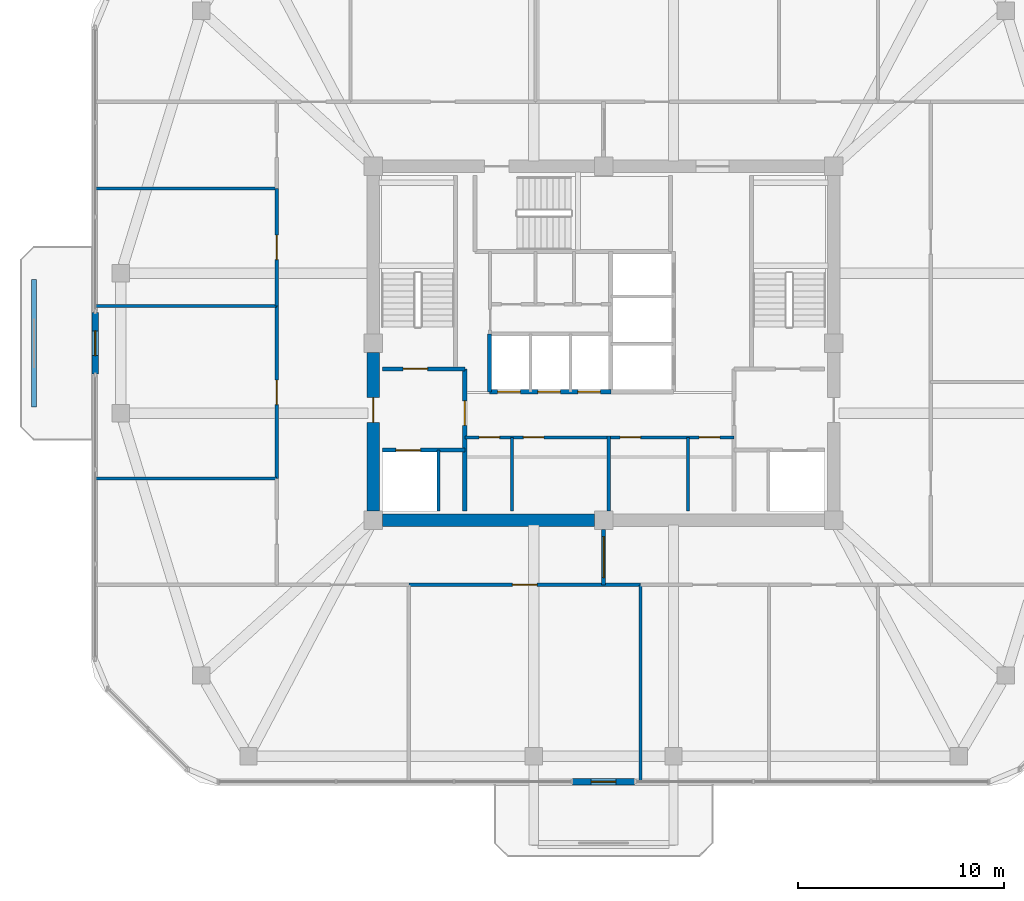
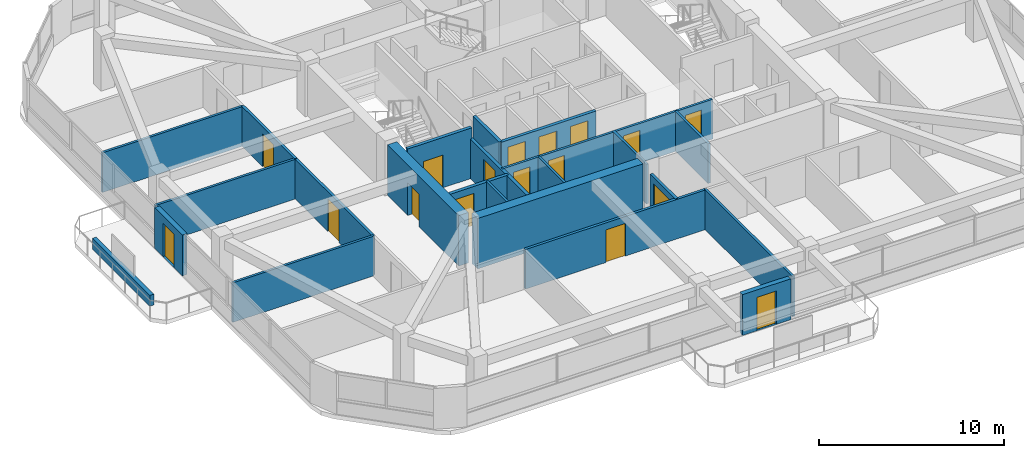
# One storey, part 8 of 13: 24 walls, 17 doors, 17 openings.
"""IFC4 building model written with IfcOpenShell, lengths in metres."""

import ifcopenshell
import ifcopenshell.guid

model = None  # the IFC model being written
_history = None  # IfcOwnerHistory: only IFC2X3 demands one
_inside = {}  # id of a spatial element -> (the spatial element, [elements in it])
_under = {}  # id of a project, library or spatial element -> (it, [spatial elements below it])
_declared = {}  # id of a project -> (the project, [libraries it declares])
_typed = {}  # id of a type object -> (the type object, [elements of that type])
_made_of = {}  # id of a material, layer set ... -> (it, [elements and type objects made of it])


def new_model(schema):
    """Start an empty IFC model of exactly this schema.

    Asked for "IFC4X3", IfcOpenShell would pick the latest addendum, in which some entities
    have other attributes; the version numbers below select the first issue.
    IFC2X3 requires an IfcOwnerHistory on every rooted entity: one is made here for all.
    """
    global model, _history
    if schema == "IFC4X3":
        model = ifcopenshell.file(schema_version=(4, 3, 0, 0))
    else:
        model = ifcopenshell.file(schema=schema)
    _inside.clear()
    _under.clear()
    _declared.clear()
    _typed.clear()
    _made_of.clear()
    _history = None
    if model.schema == "IFC2X3":
        org = make("IfcOrganization", Name="unknown")
        user = make(
            "IfcPersonAndOrganization",
            ThePerson=make("IfcPerson", FamilyName="unknown"),
            TheOrganization=org,
        )
        app = make(
            "IfcApplication",
            ApplicationDeveloper=org,
            Version="unknown",
            ApplicationFullName="unknown",
            ApplicationIdentifier="unknown",
        )
        _history = make(
            "IfcOwnerHistory",
            OwningUser=user,
            OwningApplication=app,
            ChangeAction="ADDED",
            CreationDate=0,
        )
    return model


def make(cls, **values):
    """One entity of the class cls with the attributes given. An attribute that is None is left unset."""
    return model.create_entity(
        cls, **{name: value for name, value in values.items() if value is not None}
    )


def rooted(cls, **values):
    """An entity with a GlobalId (a new one), such as an element, a storey or a relation."""
    return make(cls, GlobalId=ifcopenshell.guid.new(), OwnerHistory=_history, **values)


def si_unit(unit_type, name, prefix=None):
    """IfcSIUnit, for example si_unit("LENGTHUNIT", "METRE", prefix="MILLI")."""
    return make("IfcSIUnit", UnitType=unit_type, Prefix=prefix, Name=name)


def derived_unit(unit_type, elements):
    """IfcDerivedUnit: a product of units, each with its exponent."""
    return make(
        "IfcDerivedUnit",
        Elements=[
            make("IfcDerivedUnitElement", Unit=unit, Exponent=power)
            for unit, power in elements
        ],
        UnitType=unit_type,
    )


def assignment(units):
    """IfcUnitAssignment: the units of a project."""
    return None if units is None else make("IfcUnitAssignment", Units=units)


def point(xyz):
    """IfcCartesianPoint."""
    return None if xyz is None else make("IfcCartesianPoint", Coordinates=xyz)


def direction(xyz):
    """IfcDirection."""
    return None if xyz is None else make("IfcDirection", DirectionRatios=xyz)


def frame(location, z_axis=None, x_axis=None):
    """IfcAxis2Placement3D, a coordinate frame: its origin and axes. An axis left out is left unset."""
    return make(
        "IfcAxis2Placement3D",
        Location=point(location),
        Axis=direction(z_axis),
        RefDirection=direction(x_axis),
    )


def frame_2d(location, x_axis=None):
    """IfcAxis2Placement2D, a coordinate frame in the plane: its origin and x axis."""
    return make(
        "IfcAxis2Placement2D", Location=point(location), RefDirection=direction(x_axis)
    )


def origin():
    """The frame at (0, 0, 0) with its axes left unset."""
    return frame((0.0, 0.0, 0.0))


def place(relative_to, where):
    """IfcLocalPlacement: puts the frame where relative to a parent placement (None: the world)."""
    return make(
        "IfcLocalPlacement", PlacementRelTo=relative_to, RelativePlacement=where
    )


def context(
    kind, dimensions, precision=None, world=None, true_north=None, identifier=None
):
    """IfcGeometricRepresentationContext, for example the 3D "Model" context."""
    return make(
        "IfcGeometricRepresentationContext",
        ContextIdentifier=identifier,
        ContextType=kind,
        CoordinateSpaceDimension=dimensions,
        Precision=precision,
        WorldCoordinateSystem=world,
        TrueNorth=true_north,
    )


def subcontext(parent, identifier, kind, view, scale=None):
    """IfcGeometricRepresentationSubContext, for example "Body" below "Model"."""
    return make(
        "IfcGeometricRepresentationSubContext",
        ContextIdentifier=identifier,
        ContextType=kind,
        ParentContext=parent,
        TargetScale=scale,
        TargetView=view,
    )


def project(units=None, contexts=None):
    """IfcProject with its units and contexts."""
    return rooted(
        "IfcProject",
        Name="project",
        RepresentationContexts=contexts,
        UnitsInContext=assignment(units),
    )


def spatial(cls, under=None, at=None, **own):
    """A site, building, storey or space (cls), placed at a placement, below another one or the project."""
    s = rooted(cls, ObjectPlacement=at, **own)
    if under is not None:
        _under.setdefault(under.id(), (under, []))[1].append(s)
    return s


def profile(cls, at=None, kind="AREA", **sizes):
    """A parametric profile (cls). Its sizes go by their IFC names, for example OverallWidth=200.0."""
    return make(cls, ProfileType=kind, Position=at, **sizes)


def rectangle(**sizes):
    """IfcRectangleProfileDef."""
    return profile("IfcRectangleProfileDef", **sizes)


def extrude(swept, where, along, depth):
    """IfcExtrudedAreaSolid: the profile swept, set in the frame where, extruded along a direction by depth."""
    return make(
        "IfcExtrudedAreaSolid",
        SweptArea=swept,
        Position=where,
        ExtrudedDirection=direction(along),
        Depth=depth,
    )


def shape(context_of_items, identifier, shape_type, items):
    """IfcShapeRepresentation: the items that make up one representation, for example the "Body"."""
    return make(
        "IfcShapeRepresentation",
        ContextOfItems=context_of_items,
        RepresentationIdentifier=identifier,
        RepresentationType=shape_type,
        Items=items,
    )


def material(Name=None, Category=None):
    """IfcMaterial."""
    return make("IfcMaterial", Name=Name, Category=Category)


def layer(
    of_material, thickness, ventilated=None, Name=None, Category=None, Priority=None
):
    """IfcMaterialLayer: one layer of a wall or slab, of a material (None: an air gap)."""
    return make(
        "IfcMaterialLayer",
        Material=of_material,
        LayerThickness=thickness,
        IsVentilated=ventilated,
        Name=Name,
        Category=Category,
        Priority=Priority,
    )


def layer_set(layers, Name=None):
    """IfcMaterialLayerSet."""
    return make("IfcMaterialLayerSet", MaterialLayers=layers, LayerSetName=Name)


def made_of(thing, what):
    """Note that an element or type object is made of a material, layer set ...; save() writes the relation."""
    if what is not None:
        _made_of.setdefault(what.id(), (what, []))[1].append(thing)
    return thing


def type_object(cls, material=None, **own):
    """A type object (cls), such as IfcWallType, which elements share."""
    return made_of(rooted(cls, **own), material)


def element(
    cls,
    number,
    at=None,
    inside=None,
    cuts=None,
    type_object=None,
    material=None,
    context=None,
    identifier="Body",
    shape_type=None,
    held_by="IfcProductDefinitionShape",
    body=None,
    shapes=None,
    **own,
):
    """One element of the class cls, such as IfcWall. Its Tag is "e" and its number.

    at: its placement. inside: the storey or other place that contains it. cuts: it is an
    opening in that element (IfcRelVoidsElement). A single representation is given by context,
    identifier, shape_type and body (its items); several are given by shapes. held_by: the class
    of the entity that holds the representations. save() writes the other relations.
    """
    e = rooted(cls, Tag="e%d" % number, ObjectPlacement=at, **own)
    if body is not None:
        shapes = [shape(context, identifier, shape_type, body)]
    if shapes is not None:
        e.Representation = make(held_by, Representations=shapes)
    if inside is not None:
        _inside.setdefault(inside.id(), (inside, []))[1].append(e)
    if cuts is not None:
        rooted(
            "IfcRelVoidsElement", RelatingBuildingElement=cuts, RelatedOpeningElement=e
        )
    if type_object is not None:
        _typed.setdefault(type_object.id(), (type_object, []))[1].append(e)
    return made_of(e, material)


def fill(opening, filler):
    """IfcRelFillsElement: the door or window that sits in an opening."""
    return rooted(
        "IfcRelFillsElement",
        RelatingOpeningElement=opening,
        RelatedBuildingElement=filler,
    )


def aggregate(whole, parts):
    """IfcRelAggregates: a whole, such as a stair, and the parts it consists of."""
    return rooted("IfcRelAggregates", RelatingObject=whole, RelatedObjects=parts)


def save(model, path):
    """Write the relations noted so far, then the file.

    IfcRelAggregates (storeys below a building ...), IfcRelContainedInSpatialStructure (elements
    in a storey), IfcRelDefinesByType, IfcRelAssociatesMaterial and IfcRelDeclares: one each for
    every whole, place, type object, material and project.
    """
    for whole, parts in _under.values():
        aggregate(whole, parts)
    for where, things in _inside.values():
        rooted(
            "IfcRelContainedInSpatialStructure",
            RelatedElements=things,
            RelatingStructure=where,
        )
    for kind, things in _typed.values():
        rooted("IfcRelDefinesByType", RelatedObjects=things, RelatingType=kind)
    for what, things in _made_of.values():
        rooted("IfcRelAssociatesMaterial", RelatedObjects=things, RelatingMaterial=what)
    for by, libraries in _declared.values():
        rooted("IfcRelDeclares", RelatingContext=by, RelatedDefinitions=libraries)
    model.write(path)


model = new_model("IFC4")

# Units and contexts
model_context = context("Model", 3, precision=1e-05, world=origin(), true_north=direction((0.0, 1.0)))
body_context = subcontext(model_context, "Body", "Model", "MODEL_VIEW")
ifc_project = project(units=[si_unit("LENGTHUNIT", "METRE"), si_unit("AREAUNIT", "SQUARE_METRE"), si_unit("VOLUMEUNIT", "CUBIC_METRE"), si_unit("PLANEANGLEUNIT", "RADIAN"), si_unit("MASSUNIT", "GRAM", prefix="KILO"), derived_unit("THERMALTRANSMITTANCEUNIT", [(si_unit("POWERUNIT", "WATT"), 1), (si_unit("LENGTHUNIT", "METRE"), -2), (si_unit("THERMODYNAMICTEMPERATUREUNIT", "KELVIN"), -1)])], contexts=[model_context])

# Site, building, storey
site_placement = place(None, origin())
site = spatial("IfcSite", under=ifc_project, at=site_placement, CompositionType="ELEMENT")
building_placement = place(site_placement, origin())
building = spatial("IfcBuilding", under=site, at=building_placement, Name="Koralith Skygarden Medical Center", CompositionType="ELEMENT")
storey_placement = place(building_placement, frame((0.0, 0.0, 250.02001953125)))
storey = spatial("IfcBuildingStorey", under=building, at=storey_placement, Name="L64", CompositionType="ELEMENT", Elevation=250.02001953125)

# Wall, openings, doors
ifc_material_1 = material(Name="Gypsum Board Partition")
ifc_layer_1 = layer(ifc_material_1, 0.14990234375)
ifc_layer_set_1 = layer_set([ifc_layer_1], Name="Gypsum Board Partition")
wall_type_1 = type_object("IfcWallType", Name="Clinical Acoustic Partition 150", PredefinedType="PARTITIONING", material=ifc_layer_set_1)
wall_1_placement = place(storey_placement, frame((30.25, 21.320068359375, 0.0), z_axis=(0.0, 0.0, 1.0), x_axis=(1.0, 0.0, 0.0)))
wall_1 = element("IfcWall", 1, at=wall_1_placement, inside=storey, type_object=wall_type_1, Name="L64 Clinical Acoustic Partition 150 W-CORE-L64-FREED-LR-N", PredefinedType="PARTITIONING", context=body_context, shape_type="SweptSolid", body=[
    extrude(rectangle(XDim=7.0, YDim=0.14990234375, at=frame_2d((3.5, 0.0))), origin(), (0.0, 0.0, 1.0), 2.60986328125),
])
opening_1_placement = place(wall_1_placement, frame((0.699951171875, 0.0, 0.0)))
opening_1 = element("IfcOpeningElement", 2, at=opening_1_placement, cuts=wall_1, Name="Opening D-SUP", PredefinedType="OPENING", context=body_context, shape_type="SweptSolid", body=[
    extrude(rectangle(XDim=1.0, YDim=2.14990234375, at=frame_2d((0.5, 1.074951171875))), frame((0.0, 0.0849609375, 0.0), z_axis=(0.0, -1.0, 0.0), x_axis=(1.0, 0.0, 0.0)), (0.0, 0.0, 1.0), 0.169921875),
])
opening_2_placement = place(wall_1_placement, frame((2.85009765625, 0.0, 0.0)))
opening_2 = element("IfcOpeningElement", 3, at=opening_2_placement, cuts=wall_1, Name="Opening D-SUP", PredefinedType="OPENING", context=body_context, shape_type="SweptSolid", body=[
    extrude(rectangle(XDim=1.0, YDim=2.14990234375, at=frame_2d((0.5, 1.074951171875))), frame((0.0, 0.0849609375, 0.0), z_axis=(0.0, -1.0, 0.0), x_axis=(1.0, 0.0, 0.0)), (0.0, 0.0, 1.0), 0.169921875),
])
ifc_material_2 = material(Name="Aluminium 6063-T6", Category="aluminium")
door_type_1 = type_object("IfcDoorType", Name="Clinical Support Door D-SUP 1000", OperationType="NOTDEFINED", PredefinedType="DOOR", material=ifc_material_2)
door_1_placement = place(opening_1_placement, frame((1.0, 0.0, 0.0), z_axis=(0.0, 0.0, 1.0), x_axis=(-1.0, 0.0, 0.0)))
door_1 = element("IfcDoor", 4, at=door_1_placement, inside=storey, type_object=door_type_1, Name="L64 Medication Preparation Door", OperationType="SINGLE_SWING_LEFT", OverallHeight=2.14990234375, OverallWidth=1.0, PredefinedType="DOOR", context=body_context, shape_type="SweptSolid", body=[
    extrude(rectangle(XDim=1.0, YDim=2.14990234375, at=frame_2d((0.5, 1.074951171875))), frame((0.0, 0.02490234375, 0.0), z_axis=(0.0, -1.0, 0.0), x_axis=(1.0, 0.0, 0.0)), (0.0, 0.0, 1.0), 0.050048828125),
])
fill(opening_1, door_1)
door_2_placement = place(opening_2_placement, frame((1.0, 0.0, 0.0), z_axis=(0.0, 0.0, 1.0), x_axis=(-1.0, 0.0, 0.0)))
door_2 = element("IfcDoor", 5, at=door_2_placement, inside=storey, type_object=door_type_1, Name="L64 Telemetry Room Door", OperationType="SINGLE_SWING_RIGHT", OverallHeight=2.14990234375, OverallWidth=1.0, PredefinedType="DOOR", context=body_context, shape_type="SweptSolid", body=[
    extrude(rectangle(XDim=1.0, YDim=2.14990234375, at=frame_2d((0.5, 1.074951171875))), frame((0.0, 0.02490234375, 0.0), z_axis=(0.0, -1.0, 0.0), x_axis=(1.0, 0.0, 0.0)), (0.0, 0.0, 1.0), 0.050048828125),
])
fill(opening_2, door_2)

# Wall
wall_2_placement = place(storey_placement, frame((32.550048828125, 17.75, 0.0), z_axis=(0.0, 0.0, 1.0), x_axis=(0.0, 1.0, 0.0)))
element("IfcWall", 6, at=wall_2_placement, inside=storey, type_object=wall_type_1, Name="L64 Clinical Acoustic Partition 150 W-CORE-L64-FREED-LR-M", PredefinedType="PARTITIONING", context=body_context, shape_type="SweptSolid", body=[
    extrude(rectangle(XDim=3.570068359375, YDim=0.14990234375, at=frame_2d((1.78515625, 0.0))), origin(), (0.0, 0.0, 1.0), 2.60986328125),
])

# Wall, openings, doors
wall_3_placement = place(storey_placement, frame((37.25, 21.320068359375, 0.0), z_axis=(0.0, 0.0, 1.0), x_axis=(1.0, 0.0, 0.0)))
wall_3 = element("IfcWall", 7, at=wall_3_placement, inside=storey, type_object=wall_type_1, Name="L64 Clinical Acoustic Partition 150 W-CORE-L64-FREED-MR-N", PredefinedType="PARTITIONING", context=body_context, shape_type="SweptSolid", body=[
    extrude(rectangle(XDim=6.10009765625, YDim=0.14990234375, at=frame_2d((3.050048828125, 0.0))), origin(), (0.0, 0.0, 1.0), 2.60986328125),
])
opening_3_placement = place(wall_3_placement, frame((0.550048828125, 0.0, 0.0)))
opening_3 = element("IfcOpeningElement", 8, at=opening_3_placement, cuts=wall_3, Name="Opening D-SUP", PredefinedType="OPENING", context=body_context, shape_type="SweptSolid", body=[
    extrude(rectangle(XDim=1.0, YDim=2.14990234375, at=frame_2d((0.5, 1.074951171875))), frame((0.0, 0.0849609375, 0.0), z_axis=(0.0, -1.0, 0.0), x_axis=(1.0, 0.0, 0.0)), (0.0, 0.0, 1.0), 0.169921875),
])
opening_4_placement = place(wall_3_placement, frame((4.39990234375, 0.0, 0.0)))
opening_4 = element("IfcOpeningElement", 9, at=opening_4_placement, cuts=wall_3, Name="Opening D-SUP", PredefinedType="OPENING", context=body_context, shape_type="SweptSolid", body=[
    extrude(rectangle(XDim=1.0, YDim=2.14990234375, at=frame_2d((0.5, 1.074951171875))), frame((0.0, 0.0849609375, 0.0), z_axis=(0.0, -1.0, 0.0), x_axis=(1.0, 0.0, 0.0)), (0.0, 0.0, 1.0), 0.169921875),
])
door_3_placement = place(opening_3_placement, frame((1.0, 0.0, 0.0), z_axis=(0.0, 0.0, 1.0), x_axis=(-1.0, 0.0, 0.0)))
door_3 = element("IfcDoor", 10, at=door_3_placement, inside=storey, type_object=door_type_1, Name="L64 Satellite Pharmacy Door", OperationType="SINGLE_SWING_LEFT", OverallHeight=2.14990234375, OverallWidth=1.0, PredefinedType="DOOR", context=body_context, shape_type="SweptSolid", body=[
    extrude(rectangle(XDim=1.0, YDim=2.14990234375, at=frame_2d((0.5, 1.074951171875))), frame((0.0, 0.02490234375, 0.0), z_axis=(0.0, -1.0, 0.0), x_axis=(1.0, 0.0, 0.0)), (0.0, 0.0, 1.0), 0.050048828125),
])
fill(opening_3, door_3)
door_4_placement = place(opening_4_placement, frame((1.0, 0.0, 0.0), z_axis=(0.0, 0.0, 1.0), x_axis=(-1.0, 0.0, 0.0)))
door_4 = element("IfcDoor", 11, at=door_4_placement, inside=storey, type_object=door_type_1, Name="L64 Biomedical Equipment Door", OperationType="SINGLE_SWING_RIGHT", OverallHeight=2.14990234375, OverallWidth=1.0, PredefinedType="DOOR", context=body_context, shape_type="SweptSolid", body=[
    extrude(rectangle(XDim=1.0, YDim=2.14990234375, at=frame_2d((0.5, 1.074951171875))), frame((0.0, 0.02490234375, 0.0), z_axis=(0.0, -1.0, 0.0), x_axis=(1.0, 0.0, 0.0)), (0.0, 0.0, 1.0), 0.050048828125),
])
fill(opening_4, door_4)

# Walls
wall_4_placement = place(storey_placement, frame((41.10009765625, 17.75, 0.0), z_axis=(0.0, 0.0, 1.0), x_axis=(0.0, 1.0, 0.0)))
element("IfcWall", 12, at=wall_4_placement, inside=storey, type_object=wall_type_1, Name="L64 Clinical Acoustic Partition 150 W-CORE-L64-FREED-MR-M", PredefinedType="PARTITIONING", context=body_context, shape_type="SweptSolid", body=[
    extrude(rectangle(XDim=3.570068359375, YDim=0.14990234375, at=frame_2d((1.78515625, 0.0))), origin(), (0.0, 0.0, 1.0), 2.60986328125),
])
wall_5_placement = place(storey_placement, frame((38.800048828125, 14.14990234375, 0.0), z_axis=(0.0, 0.0, 1.0), x_axis=(0.0, -1.0, 0.0)))
element("IfcWall", 13, at=wall_5_placement, inside=storey, type_object=wall_type_1, Name="L64 Clinical Acoustic Partition 150 W-PART-L64-S-02", PredefinedType="PARTITIONING", context=body_context, shape_type="SweptSolid", body=[
    extrude(rectangle(XDim=9.5498046875, YDim=0.14990234375, at=frame_2d((4.77490234375, 0.0))), origin(), (0.0, 0.0, 1.0), 2.60986328125),
])
for number, where, z_axis, x_axis, name in (
    (14, (21.10009765625, 19.320068359375, 0.0), (0.0, 0.0, 1.0), (-1.0, 0.0, 0.0), "L64 Clinical Acoustic Partition 150 W-PART-L64-W-01"),
    (15, (21.10009765625, 27.699951171875, 0.0), (0.0, 0.0, 1.0), (-1.0, 0.0, 0.0), "L64 Clinical Acoustic Partition 150 W-PART-L64-W-02"),
    (16, (21.10009765625, 33.419921875, 0.0), (0.0, 0.0, 1.0), (-1.0, 0.0, 0.0), "L64 Clinical Acoustic Partition 150 W-PART-L64-W-03"),
):
    element("IfcWall", number, at=place(storey_placement, frame(where, z_axis=z_axis, x_axis=x_axis)), inside=storey, type_object=wall_type_1, Name=name, PredefinedType="PARTITIONING", context=body_context, shape_type="SweptSolid", body=[
        extrude(rectangle(XDim=8.800048828125, YDim=0.14990234375, at=frame_2d((4.39990234375, 0.0))), origin(), (0.0, 0.0, 1.0), 2.60986328125),
    ])

# Wall, opening, door
ifc_layer_2 = layer(ifc_material_1, 0.1650390625)
ifc_layer_set_2 = layer_set([ifc_layer_2], Name="Gypsum Board Partition")
wall_type_2 = type_object("IfcWallType", Name="Clinical Corridor Partition 165", PredefinedType="PARTITIONING", material=ifc_layer_set_2)
wall_6_placement = place(storey_placement, frame((27.528076171875, 14.14990234375, 0.0), z_axis=(0.0, 0.0, 1.0), x_axis=(1.0, 0.0, 0.0)))
wall_6 = element("IfcWall", 17, at=wall_6_placement, inside=storey, type_object=wall_type_2, Name="L64 Clinical Corridor Partition 165 W-CORR-L64-S-02", PredefinedType="PARTITIONING", context=body_context, shape_type="SweptSolid", body=[
    extrude(rectangle(XDim=11.27197265625, YDim=0.1650390625, at=frame_2d((5.635986328125, 0.0))), origin(), (0.0, 0.0, 1.0), 2.60986328125),
])
opening_5_placement = place(wall_6_placement, frame((5.035888671875, 0.0, 0.0)))
opening_5 = element("IfcOpeningElement", 18, at=opening_5_placement, cuts=wall_6, Name="Opening D-CLN", PredefinedType="OPENING", context=body_context, shape_type="SweptSolid", body=[
    extrude(rectangle(XDim=1.199951171875, YDim=2.14990234375, at=frame_2d((0.60009765625, 1.074951171875))), frame((0.0, 0.092529296875, 0.0), z_axis=(0.0, -1.0, 0.0), x_axis=(1.0, 0.0, 0.0)), (0.0, 0.0, 1.0), 0.18505859375),
])
door_type_2 = type_object("IfcDoorType", Name="Clinical Corridor Door D-CLN 1200", OperationType="NOTDEFINED", PredefinedType="DOOR", material=ifc_material_2)
door_5_placement = place(opening_5_placement, frame((1.199951171875, 0.0, 0.0), z_axis=(0.0, 0.0, 1.0), x_axis=(-1.0, 0.0, 0.0)))
door_5 = element("IfcDoor", 19, at=door_5_placement, inside=storey, type_object=door_type_2, Name="L64 Patient and Family Sky-Garden Day Lounge 07 Door", OperationType="SINGLE_SWING_RIGHT", OverallHeight=2.14990234375, OverallWidth=1.199951171875, PredefinedType="DOOR", context=body_context, shape_type="SweptSolid", body=[
    extrude(rectangle(XDim=1.199951171875, YDim=2.14990234375, at=frame_2d((0.60009765625, 1.074951171875))), frame((0.0, 0.02490234375, 0.0), z_axis=(0.0, -1.0, 0.0), x_axis=(1.0, 0.0, 0.0)), (0.0, 0.0, 1.0), 0.050048828125),
])
fill(opening_5, door_5)

wall_7_placement = place(storey_placement, frame((21.10009765625, 19.320068359375, 0.0), z_axis=(0.0, 0.0, 1.0), x_axis=(0.0, 1.0, 0.0)))
wall_7 = element("IfcWall", 20, at=wall_7_placement, inside=storey, type_object=wall_type_2, Name="L64 Clinical Corridor Partition 165 W-CORR-L64-W-02", PredefinedType="PARTITIONING", context=body_context, shape_type="SweptSolid", body=[
    extrude(rectangle(XDim=8.3798828125, YDim=0.1650390625, at=frame_2d((4.18994140625, 0.0))), origin(), (0.0, 0.0, 1.0), 2.60986328125),
])
opening_6_placement = place(wall_7_placement, frame((3.590087890625, 0.0, 0.0)))
opening_6 = element("IfcOpeningElement", 21, at=opening_6_placement, cuts=wall_7, Name="Opening D-CLN", PredefinedType="OPENING", context=body_context, shape_type="SweptSolid", body=[
    extrude(rectangle(XDim=1.199951171875, YDim=2.14990234375, at=frame_2d((0.60009765625, 1.074951171875))), frame((0.0, 0.092529296875, 0.0), z_axis=(0.0, -1.0, 0.0), x_axis=(1.0, 0.0, 0.0)), (0.0, 0.0, 1.0), 0.18505859375),
])
door_6_placement = place(opening_6_placement, frame((1.199951171875, 0.0, 0.0), z_axis=(0.0, 0.0, 1.0), x_axis=(-1.0, 0.0, 0.0)))
door_6 = element("IfcDoor", 22, at=door_6_placement, inside=storey, type_object=door_type_2, Name="L64 Patient and Family Sky-Garden Day Lounge 12 Door", OperationType="SINGLE_SWING_LEFT", OverallHeight=2.14990234375, OverallWidth=1.199951171875, PredefinedType="DOOR", context=body_context, shape_type="SweptSolid", body=[
    extrude(rectangle(XDim=1.199951171875, YDim=2.14990234375, at=frame_2d((0.60009765625, 1.074951171875))), frame((0.0, 0.02490234375, 0.0), z_axis=(0.0, -1.0, 0.0), x_axis=(1.0, 0.0, 0.0)), (0.0, 0.0, 1.0), 0.050048828125),
])
fill(opening_6, door_6)

wall_8_placement = place(storey_placement, frame((21.10009765625, 27.699951171875, 0.0), z_axis=(0.0, 0.0, 1.0), x_axis=(0.0, 1.0, 0.0)))
wall_8 = element("IfcWall", 23, at=wall_8_placement, inside=storey, type_object=wall_type_2, Name="L64 Clinical Corridor Partition 165 W-CORR-L64-W-03", PredefinedType="PARTITIONING", context=body_context, shape_type="SweptSolid", body=[
    extrude(rectangle(XDim=5.719970703125, YDim=0.1650390625, at=frame_2d((2.85986328125, 0.0))), origin(), (0.0, 0.0, 1.0), 2.60986328125),
])
opening_7_placement = place(wall_8_placement, frame((2.260009765625, 0.0, 0.0)))
opening_7 = element("IfcOpeningElement", 24, at=opening_7_placement, cuts=wall_8, Name="Opening D-CLN", PredefinedType="OPENING", context=body_context, shape_type="SweptSolid", body=[
    extrude(rectangle(XDim=1.199951171875, YDim=2.14990234375, at=frame_2d((0.60009765625, 1.074951171875))), frame((0.0, 0.092529296875, 0.0), z_axis=(0.0, -1.0, 0.0), x_axis=(1.0, 0.0, 0.0)), (0.0, 0.0, 1.0), 0.18505859375),
])
door_7_placement = place(opening_7_placement, frame((1.199951171875, 0.0, 0.0), z_axis=(0.0, 0.0, 1.0), x_axis=(-1.0, 0.0, 0.0)))
door_7 = element("IfcDoor", 25, at=door_7_placement, inside=storey, type_object=door_type_2, Name="L64 Social Work Counseling Office 13 Door", OperationType="SINGLE_SWING_RIGHT", OverallHeight=2.14990234375, OverallWidth=1.199951171875, PredefinedType="DOOR", context=body_context, shape_type="SweptSolid", body=[
    extrude(rectangle(XDim=1.199951171875, YDim=2.14990234375, at=frame_2d((0.60009765625, 1.074951171875))), frame((0.0, 0.02490234375, 0.0), z_axis=(0.0, -1.0, 0.0), x_axis=(1.0, 0.0, 0.0)), (0.0, 0.0, 1.0), 0.050048828125),
])
fill(opening_7, door_7)

ifc_layer_3 = layer(ifc_material_1, 0.199951171875)
ifc_layer_set_3 = layer_set([ifc_layer_3], Name="Gypsum Board Partition")
wall_type_3 = type_object("IfcWallType", Name="Fire Shaft Wall 200", PredefinedType="SOLIDWALL", material=ifc_layer_set_3)
wall_9_placement = place(storey_placement, frame((26.25, 20.699951171875, 0.0), z_axis=(0.0, 0.0, 1.0), x_axis=(1.0, 0.0, 0.0)))
wall_9 = element("IfcWall", 26, at=wall_9_placement, inside=storey, type_object=wall_type_3, Name="L64 Fire Shaft Wall 200 W-CORE-L64-FF1-N", PredefinedType="SOLIDWALL", context=body_context, shape_type="SweptSolid", body=[
    extrude(rectangle(XDim=4.0, YDim=0.199951171875, at=frame_2d((2.0, 0.0))), origin(), (0.0, 0.0, 1.0), 2.60986328125),
])
opening_8_placement = place(wall_9_placement, frame((0.64990234375, 0.0, 0.0)))
opening_8 = element("IfcOpeningElement", 27, at=opening_8_placement, cuts=wall_9, Name="Opening LD-FF", PredefinedType="OPENING", context=body_context, shape_type="SweptSolid", body=[
    extrude(rectangle(XDim=1.199951171875, YDim=2.14990234375, at=frame_2d((0.60009765625, 1.074951171875))), frame((0.0, 0.10986328125, 0.0), z_axis=(0.0, -1.0, 0.0), x_axis=(1.0, 0.0, 0.0)), (0.0, 0.0, 1.0), 0.219970703125),
])
ifc_material_3 = material(Name="Steel ASTM A500 Grade C", Category="steel")
door_type_3 = type_object("IfcDoorType", Name="Fire Lift Sliding Landing Door LD-FF 1200", OperationType="NOTDEFINED", PredefinedType="DOOR", material=ifc_material_3)
door_8_placement = place(opening_8_placement, origin())
door_8 = element("IfcDoor", 28, at=door_8_placement, inside=storey, type_object=door_type_3, Name="L64 Fire Service Elevator FF1 Landing Door", OperationType="SLIDING_TO_LEFT", OverallHeight=2.14990234375, OverallWidth=1.199951171875, PredefinedType="DOOR", context=body_context, shape_type="SweptSolid", body=[
    extrude(rectangle(XDim=1.199951171875, YDim=2.14990234375, at=frame_2d((0.60009765625, 1.074951171875))), frame((0.0, 0.02490234375, 0.0), z_axis=(0.0, -1.0, 0.0), x_axis=(1.0, 0.0, 0.0)), (0.0, 0.0, 1.0), 0.050048828125),
])
fill(opening_8, door_8)

wall_10_placement = place(storey_placement, frame((30.25, 17.75, 0.0), z_axis=(0.0, 0.0, 1.0), x_axis=(0.0, 1.0, 0.0)))
wall_10 = element("IfcWall", 29, at=wall_10_placement, inside=storey, type_object=wall_type_3, Name="L64 Fire Shaft Wall 200 W-CORE-L64-FSAEW-E", PredefinedType="SOLIDWALL", context=body_context, shape_type="SweptSolid", body=[
    extrude(rectangle(XDim=6.89990234375, YDim=0.199951171875, at=frame_2d((3.449951171875, 0.0))), origin(), (0.0, 0.0, 1.0), 2.60986328125),
])
opening_9_placement = place(wall_10_placement, frame((4.14990234375, 0.0, 0.0)))
opening_9 = element("IfcOpeningElement", 30, at=opening_9_placement, cuts=wall_10, Name="Opening D-ST60", PredefinedType="OPENING", context=body_context, shape_type="SweptSolid", body=[
    extrude(rectangle(XDim=1.199951171875, YDim=2.14990234375, at=frame_2d((0.60009765625, 1.074951171875))), frame((0.0, 0.10986328125, 0.0), z_axis=(0.0, -1.0, 0.0), x_axis=(1.0, 0.0, 0.0)), (0.0, 0.0, 1.0), 0.219970703125),
])
door_type_4 = type_object("IfcDoorType", Name="Smokeproof Stair Fire Door FD60S 1200", OperationType="NOTDEFINED", PredefinedType="DOOR", material=ifc_material_3)
door_9_placement = place(opening_9_placement, origin())
door_9 = element("IfcDoor", 31, at=door_9_placement, inside=storey, type_object=door_type_4, Name="L64 West Firefighting Lobby Inner Fire Door", OperationType="SINGLE_SWING_LEFT", OverallHeight=2.14990234375, OverallWidth=1.199951171875, PredefinedType="DOOR", context=body_context, shape_type="SweptSolid", body=[
    extrude(rectangle(XDim=1.199951171875, YDim=2.14990234375, at=frame_2d((0.60009765625, 1.074951171875))), frame((0.0, 0.02490234375, 0.0), z_axis=(0.0, -1.0, 0.0), x_axis=(1.0, 0.0, 0.0)), (0.0, 0.0, 1.0), 0.050048828125),
])
fill(opening_9, door_9)

# Wall, openings, doors
wall_11_placement = place(storey_placement, frame((31.449951171875, 23.5400390625, 0.0), z_axis=(0.0, 0.0, 1.0), x_axis=(1.0, 0.0, 0.0)))
wall_11 = element("IfcWall", 32, at=wall_11_placement, inside=storey, type_object=wall_type_3, Name="L64 Fire Shaft Wall 200 W-CORE-L64-PH-S", PredefinedType="SOLIDWALL", context=body_context, shape_type="SweptSolid", body=[
    extrude(rectangle(XDim=5.900146484375, YDim=0.199951171875, at=frame_2d((2.9501953125, 0.0))), origin(), (0.0, 0.0, 1.0), 2.60986328125),
])
opening_10_placement = place(wall_11_placement, frame((0.39990234375, 0.0, 0.0)))
opening_10 = element("IfcOpeningElement", 33, at=opening_10_placement, cuts=wall_11, Name="Opening LD-P", PredefinedType="OPENING", context=body_context, shape_type="SweptSolid", body=[
    extrude(rectangle(XDim=1.10009765625, YDim=2.14990234375, at=frame_2d((0.550048828125, 1.074951171875))), frame((0.0, 0.10986328125, 0.0), z_axis=(0.0, -1.0, 0.0), x_axis=(1.0, 0.0, 0.0)), (0.0, 0.0, 1.0), 0.219970703125),
])
opening_11_placement = place(wall_11_placement, frame((2.35009765625, 0.0, 0.0)))
opening_11 = element("IfcOpeningElement", 34, at=opening_11_placement, cuts=wall_11, Name="Opening LD-P", PredefinedType="OPENING", context=body_context, shape_type="SweptSolid", body=[
    extrude(rectangle(XDim=1.10009765625, YDim=2.14990234375, at=frame_2d((0.550048828125, 1.074951171875))), frame((0.0, 0.10986328125, 0.0), z_axis=(0.0, -1.0, 0.0), x_axis=(1.0, 0.0, 0.0)), (0.0, 0.0, 1.0), 0.219970703125),
])
opening_12_placement = place(wall_11_placement, frame((4.300048828125, 0.0, 0.0)))
opening_12 = element("IfcOpeningElement", 35, at=opening_12_placement, cuts=wall_11, Name="Opening LD-P", PredefinedType="OPENING", context=body_context, shape_type="SweptSolid", body=[
    extrude(rectangle(XDim=1.10009765625, YDim=2.14990234375, at=frame_2d((0.550048828125, 1.074951171875))), frame((0.0, 0.10986328125, 0.0), z_axis=(0.0, -1.0, 0.0), x_axis=(1.0, 0.0, 0.0)), (0.0, 0.0, 1.0), 0.219970703125),
])
door_type_5 = type_object("IfcDoorType", Name="Passenger Lift Sliding Landing Door LD-P 1100", OperationType="NOTDEFINED", PredefinedType="DOOR", material=ifc_material_3)
door_10_placement = place(opening_10_placement, origin())
door_10 = element("IfcDoor", 36, at=door_10_placement, inside=storey, type_object=door_type_5, Name="L64 Passenger Elevator PH1 Landing Door", OperationType="SLIDING_TO_RIGHT", OverallHeight=2.14990234375, OverallWidth=1.10009765625, PredefinedType="DOOR", context=body_context, shape_type="SweptSolid", body=[
    extrude(rectangle(XDim=1.10009765625, YDim=2.14990234375, at=frame_2d((0.550048828125, 1.074951171875))), frame((0.0, 0.02490234375, 0.0), z_axis=(0.0, -1.0, 0.0), x_axis=(1.0, 0.0, 0.0)), (0.0, 0.0, 1.0), 0.050048828125),
])
fill(opening_10, door_10)
door_11_placement = place(opening_11_placement, origin())
door_11 = element("IfcDoor", 37, at=door_11_placement, inside=storey, type_object=door_type_5, Name="L64 Passenger Elevator PH2 Landing Door", OperationType="SLIDING_TO_RIGHT", OverallHeight=2.14990234375, OverallWidth=1.10009765625, PredefinedType="DOOR", context=body_context, shape_type="SweptSolid", body=[
    extrude(rectangle(XDim=1.10009765625, YDim=2.14990234375, at=frame_2d((0.550048828125, 1.074951171875))), frame((0.0, 0.02490234375, 0.0), z_axis=(0.0, -1.0, 0.0), x_axis=(1.0, 0.0, 0.0)), (0.0, 0.0, 1.0), 0.050048828125),
])
fill(opening_11, door_11)
door_12_placement = place(opening_12_placement, origin())
door_12 = element("IfcDoor", 38, at=door_12_placement, inside=storey, type_object=door_type_5, Name="L64 Passenger Elevator PH3 Landing Door", OperationType="SLIDING_TO_RIGHT", OverallHeight=2.14990234375, OverallWidth=1.10009765625, PredefinedType="DOOR", context=body_context, shape_type="SweptSolid", body=[
    extrude(rectangle(XDim=1.10009765625, YDim=2.14990234375, at=frame_2d((0.550048828125, 1.074951171875))), frame((0.0, 0.02490234375, 0.0), z_axis=(0.0, -1.0, 0.0), x_axis=(1.0, 0.0, 0.0)), (0.0, 0.0, 1.0), 0.050048828125),
])
fill(opening_12, door_12)

# Wall
wall_12_placement = place(storey_placement, frame((31.449951171875, 23.5400390625, 0.0), z_axis=(0.0, 0.0, 1.0), x_axis=(0.0, 1.0, 0.0)))
element("IfcWall", 39, at=wall_12_placement, inside=storey, type_object=wall_type_3, Name="L64 Fire Shaft Wall 200 W-CORE-L64-PH-W", PredefinedType="SOLIDWALL", context=body_context, shape_type="SweptSolid", body=[
    extrude(rectangle(XDim=2.81005859375, YDim=0.199951171875, at=frame_2d((1.405029296875, 0.0))), origin(), (0.0, 0.0, 1.0), 2.60986328125),
])

# Wall, opening, door
ifc_layer_4 = layer(ifc_material_1, 0.179931640625)
ifc_layer_set_4 = layer_set([ifc_layer_4], Name="Gypsum Board Partition")
wall_type_4 = type_object("IfcWallType", Name="Group I-2 Smoke Barrier Wall 180", PredefinedType="PARTITIONING", material=ifc_layer_set_4)
wall_13_placement = place(storey_placement, frame((37.0, 14.14990234375, 0.0), z_axis=(0.0, 0.0, 1.0), x_axis=(0.0, 1.0, 0.0)))
wall_13 = element("IfcWall", 40, at=wall_13_placement, inside=storey, type_object=wall_type_4, Name="L64 Group I-2 Smoke Barrier Wall 180 W-SMK-L64-S", PredefinedType="PARTITIONING", context=body_context, shape_type="SweptSolid", body=[
    extrude(rectangle(XDim=2.7001953125, YDim=0.179931640625, at=frame_2d((1.35009765625, 0.0))), origin(), (0.0, 0.0, 1.0), 2.60986328125),
])
opening_13_placement = place(wall_13_placement, frame((0.35009765625, 0.0, 0.0)))
opening_13 = element("IfcOpeningElement", 41, at=opening_13_placement, cuts=wall_13, Name="Opening D-SMK", PredefinedType="OPENING", context=body_context, shape_type="SweptSolid", body=[
    extrude(rectangle(XDim=2.0, YDim=2.199951171875, at=frame_2d((1.0, 1.10009765625))), frame((0.0, 0.099853515625, 0.0), z_axis=(0.0, -1.0, 0.0), x_axis=(1.0, 0.0, 0.0)), (0.0, 0.0, 1.0), 0.199951171875),
])
door_type_6 = type_object("IfcDoorType", Name="Cross-Corridor Double Smoke Door FD60S 2000", OperationType="NOTDEFINED", PredefinedType="DOOR", material=ifc_material_3)
door_13_placement = place(opening_13_placement, frame((2.0, 0.0, 0.0), z_axis=(0.0, 0.0, 1.0), x_axis=(-1.0, 0.0, 0.0)))
door_13 = element("IfcDoor", 42, at=door_13_placement, inside=storey, type_object=door_type_6, Name="L64 S Smoke Compartment Cross-Corridor Door", OperationType="DOUBLE_DOOR_SINGLE_SWING", OverallHeight=2.199951171875, OverallWidth=2.0, PredefinedType="DOOR", context=body_context, shape_type="SweptSolid", body=[
    extrude(rectangle(XDim=2.0, YDim=2.199951171875, at=frame_2d((1.0, 1.10009765625))), frame((0.0, 0.02490234375, 0.0), z_axis=(0.0, -1.0, 0.0), x_axis=(1.0, 0.0, 0.0)), (0.0, 0.0, 1.0), 0.050048828125),
])
fill(opening_13, door_13)

ifc_material_4 = material(Name="Warm Oolitic Limestone Cladding", Category="masonry")
ifc_layer_5 = layer(ifc_material_4, 0.300048828125)
ifc_layer_set_5 = layer_set([ifc_layer_5], Name="Warm Oolitic Limestone Cladding")
wall_type_5 = type_object("IfcWallType", Name="Oolitic Limestone Insulated Facade Wall 300", PredefinedType="SOLIDWALL", material=ifc_layer_set_5)
wall_14_placement = place(storey_placement, frame((35.4990234375, 4.580078125, 0.0), z_axis=(0.0, 0.0, 1.0), x_axis=(1.0, 0.0, 0.0)))
wall_14 = element("IfcWall", 43, at=wall_14_placement, inside=storey, type_object=wall_type_5, Name="L64 Terrace Portal Wall S", PredefinedType="SOLIDWALL", context=body_context, shape_type="SweptSolid", body=[
    extrude(rectangle(XDim=3.0, YDim=0.300048828125, at=frame_2d((1.5, 0.0))), origin(), (0.0, 0.0, 1.0), 2.68994140625),
])
opening_14_placement = place(wall_14_placement, frame((0.89990234375, 0.0, 0.0)))
opening_14 = element("IfcOpeningElement", 44, at=opening_14_placement, cuts=wall_14, Name="Opening D-BAL", PredefinedType="OPENING", context=body_context, shape_type="SweptSolid", body=[
    extrude(rectangle(XDim=1.199951171875, YDim=2.199951171875, at=frame_2d((0.60009765625, 1.10009765625))), frame((0.0, 0.159912109375, 0.0), z_axis=(0.0, -1.0, 0.0), x_axis=(1.0, 0.0, 0.0)), (0.0, 0.0, 1.0), 0.320068359375),
])
door_type_7 = type_object("IfcDoorType", Name="Planted Balcony Glazed Terrace Door D-BAL 1200", OperationType="NOTDEFINED", PredefinedType="DOOR", material=ifc_material_2)
door_14_placement = place(opening_14_placement, origin())
door_14 = element("IfcDoor", 45, at=door_14_placement, inside=storey, type_object=door_type_7, Name="L64 S Outdoor Terrace Access Door", OperationType="SINGLE_SWING_LEFT", OverallHeight=2.199951171875, OverallWidth=1.199951171875, PredefinedType="DOOR", context=body_context, shape_type="SweptSolid", body=[
    extrude(rectangle(XDim=1.199951171875, YDim=2.199951171875, at=frame_2d((0.60009765625, 1.10009765625))), frame((0.0, 0.02490234375, 0.0), z_axis=(0.0, -1.0, 0.0), x_axis=(1.0, 0.0, 0.0)), (0.0, 0.0, 1.0), 0.050048828125),
])
fill(opening_14, door_14)

wall_15_placement = place(storey_placement, frame((12.280029296875, 27.39990234375, 0.0), z_axis=(0.0, 0.0, 1.0), x_axis=(0.0, -1.0, 0.0)))
wall_15 = element("IfcWall", 46, at=wall_15_placement, inside=storey, type_object=wall_type_5, Name="L64 Terrace Portal Wall W", PredefinedType="SOLIDWALL", context=body_context, shape_type="SweptSolid", body=[
    extrude(rectangle(XDim=3.0, YDim=0.300048828125, at=frame_2d((1.5, 0.0))), origin(), (0.0, 0.0, 1.0), 2.68994140625),
])
opening_15_placement = place(wall_15_placement, frame((0.89990234375, 0.0, 0.0)))
opening_15 = element("IfcOpeningElement", 47, at=opening_15_placement, cuts=wall_15, Name="Opening D-BAL", PredefinedType="OPENING", context=body_context, shape_type="SweptSolid", body=[
    extrude(rectangle(XDim=1.199951171875, YDim=2.199951171875, at=frame_2d((0.60009765625, 1.10009765625))), frame((0.0, 0.159912109375, 0.0), z_axis=(0.0, -1.0, 0.0), x_axis=(1.0, 0.0, 0.0)), (0.0, 0.0, 1.0), 0.320068359375),
])
door_15_placement = place(opening_15_placement, origin())
door_15 = element("IfcDoor", 48, at=door_15_placement, inside=storey, type_object=door_type_7, Name="L64 W Outdoor Terrace Access Door", OperationType="SINGLE_SWING_LEFT", OverallHeight=2.199951171875, OverallWidth=1.199951171875, PredefinedType="DOOR", context=body_context, shape_type="SweptSolid", body=[
    extrude(rectangle(XDim=1.199951171875, YDim=2.199951171875, at=frame_2d((0.60009765625, 1.10009765625))), frame((0.0, 0.02490234375, 0.0), z_axis=(0.0, -1.0, 0.0), x_axis=(1.0, 0.0, 0.0)), (0.0, 0.0, 1.0), 0.050048828125),
])
fill(opening_15, door_15)

# Walls
ifc_layer_6 = layer(ifc_material_1, 0.14990234375)
ifc_layer_set_6 = layer_set([ifc_layer_6], Name="Gypsum Board Partition")
wall_type_6 = type_object("IfcWallType", Name="Shaft Partition Wall 150", PredefinedType="PARTITIONING", material=ifc_layer_set_6)
wall_16_placement = place(storey_placement, frame((28.969970703125, 17.75, 0.0), z_axis=(0.0, 0.0, 1.0), x_axis=(0.0, 1.0, 0.0)))
element("IfcWall", 49, at=wall_16_placement, inside=storey, type_object=wall_type_6, Name="L64 Shaft Partition Wall 150 W-CORE-L64-RSRW-DIV", PredefinedType="PARTITIONING", context=body_context, shape_type="SweptSolid", body=[
    extrude(rectangle(XDim=2.949951171875, YDim=0.14990234375, at=frame_2d((1.47509765625, 0.0))), origin(), (0.0, 0.0, 1.0), 2.60986328125),
])
wall_17_placement = place(storey_placement, frame((37.25, 17.75, 0.0), z_axis=(0.0, 0.0, 1.0), x_axis=(0.0, 1.0, 0.0)))
element("IfcWall", 50, at=wall_17_placement, inside=storey, type_object=wall_type_6, Name="L64 Shaft Partition Wall 150 W-CORE-L64-PL-PM-SEP", PredefinedType="PARTITIONING", context=body_context, shape_type="SweptSolid", body=[
    extrude(rectangle(XDim=3.64990234375, YDim=0.14990234375, at=frame_2d((1.824951171875, 0.0))), origin(), (0.0, 0.0, 1.0), 2.60986328125),
])
ifc_material_5 = material(Name="Precast concrete C40/50", Category="concrete")
ifc_layer_7 = layer(ifc_material_5, 0.25)
ifc_layer_set_7 = layer_set([ifc_layer_7], Name="Precast concrete C40/50")
wall_type_7 = type_object("IfcWallType", Name="Structural Concrete Balcony Planter Kerb 250", PredefinedType="PARAPET", material=ifc_layer_set_7)
wall_18_placement = place(storey_placement, frame((9.300048828125, 22.800048828125, 0.0), z_axis=(0.0, 0.0, 1.0), x_axis=(0.0, 1.0, 0.0)))
element("IfcWall", 51, at=wall_18_placement, inside=storey, type_object=wall_type_7, Name="L64 W Structural Tree PLANTER Box", PredefinedType="PARAPET", context=body_context, shape_type="SweptSolid", body=[
    extrude(rectangle(XDim=6.199951171875, YDim=0.25, at=frame_2d((3.10009765625, 0.0))), origin(), (0.0, 0.0, 1.0), 0.719970703125),
])

# Wall, opening, door
ifc_material_6 = material(Name="Concrete C45/55", Category="concrete")
ifc_layer_8 = layer(ifc_material_6, 0.199951171875)
ifc_layer_set_8 = layer_set([ifc_layer_8], Name="Concrete C45/55")
wall_type_8 = type_object("IfcWallType", Name="Structural Stair Shaft Wall 200", PredefinedType="SHEAR", material=ifc_layer_set_8)
wall_19_placement = place(storey_placement, frame((26.25, 24.64990234375, 0.0), z_axis=(0.0, 0.0, 1.0), x_axis=(1.0, 0.0, 0.0)))
wall_19 = element("IfcWall", 52, at=wall_19_placement, inside=storey, type_object=wall_type_8, Name="L64 Structural Stair Shaft Wall 200 W-CORE-L64-ST1-S", PredefinedType="SHEAR", context=body_context, shape_type="SweptSolid", body=[
    extrude(rectangle(XDim=4.0, YDim=0.199951171875, at=frame_2d((2.0, 0.0))), origin(), (0.0, 0.0, 1.0), 3.320068359375),
])
opening_16_placement = place(wall_19_placement, frame((1.0, 0.0, 0.0)))
opening_16 = element("IfcOpeningElement", 53, at=opening_16_placement, cuts=wall_19, Name="Opening D-ST60", PredefinedType="OPENING", context=body_context, shape_type="SweptSolid", body=[
    extrude(rectangle(XDim=1.199951171875, YDim=2.14990234375, at=frame_2d((0.60009765625, 1.074951171875))), frame((0.0, 0.10986328125, 0.0), z_axis=(0.0, -1.0, 0.0), x_axis=(1.0, 0.0, 0.0)), (0.0, 0.0, 1.0), 0.219970703125),
])
door_16_placement = place(opening_16_placement, origin())
door_16 = element("IfcDoor", 54, at=door_16_placement, inside=storey, type_object=door_type_4, Name="L64 Exit Stair ST1 Fire Door", OperationType="SINGLE_SWING_LEFT", OverallHeight=2.14990234375, OverallWidth=1.199951171875, PredefinedType="DOOR", context=body_context, shape_type="SweptSolid", body=[
    extrude(rectangle(XDim=1.199951171875, YDim=2.14990234375, at=frame_2d((0.60009765625, 1.074951171875))), frame((0.0, 0.02490234375, 0.0), z_axis=(0.0, -1.0, 0.0), x_axis=(1.0, 0.0, 0.0)), (0.0, 0.0, 1.0), 0.050048828125),
])
fill(opening_16, door_16)

# Wall
ifc_material_7 = material(Name="Concrete C55/67", Category="concrete")
ifc_layer_9 = layer(ifc_material_7, 0.60009765625)
ifc_layer_set_9 = layer_set([ifc_layer_9], Name="Concrete C55/67")
wall_type_9 = type_object("IfcWallType", Name="Upper Core Shear Wall 600", PredefinedType="SHEAR", material=ifc_layer_set_9)
wall_20_placement = place(storey_placement, frame((26.2451171875, 17.300048828125, 0.0), z_axis=(0.0, 0.0, 1.0), x_axis=(1.0, 0.0, 0.0)))
element("IfcWall", 55, at=wall_20_placement, inside=storey, type_object=wall_type_9, Name="L64 Core Shear Wall Segment 1", PredefinedType="SHEAR", context=body_context, shape_type="SweptSolid", body=[
    extrude(rectangle(XDim=10.309814453125, YDim=0.60009765625, at=frame_2d((5.15478515625, 0.0))), origin(), (0.0, 0.0, 1.0), 3.320068359375),
])

# Wall, opening, door
wall_21_placement = place(storey_placement, frame((25.800048828125, 25.455078125, 0.0), z_axis=(0.0, 0.0, 1.0), x_axis=(0.0, -1.0, 0.0)))
wall_21 = element("IfcWall", 56, at=wall_21_placement, inside=storey, type_object=wall_type_9, Name="L64 Core Shear Wall Segment 8", PredefinedType="SHEAR", context=body_context, shape_type="SweptSolid", body=[
    extrude(rectangle(XDim=7.7099609375, YDim=0.60009765625, at=frame_2d((3.85498046875, 0.0))), origin(), (0.0, 0.0, 1.0), 3.320068359375),
])
opening_17_placement = place(wall_21_placement, frame((2.205078125, 0.0, 0.0)))
opening_17 = element("IfcOpeningElement", 57, at=opening_17_placement, cuts=wall_21, Name="Opening D-ST60", PredefinedType="OPENING", context=body_context, shape_type="SweptSolid", body=[
    extrude(rectangle(XDim=1.199951171875, YDim=2.14990234375, at=frame_2d((0.60009765625, 1.074951171875))), frame((0.0, 0.31005859375, 0.0), z_axis=(0.0, -1.0, 0.0), x_axis=(1.0, 0.0, 0.0)), (0.0, 0.0, 1.0), 0.6201171875),
])
door_17_placement = place(opening_17_placement, frame((1.199951171875, 0.0, 0.0), z_axis=(0.0, 0.0, 1.0), x_axis=(-1.0, 0.0, 0.0)))
door_17 = element("IfcDoor", 58, at=door_17_placement, inside=storey, type_object=door_type_4, Name="L64 West Corridor to Firefighting Lobby Door", OperationType="SINGLE_SWING_LEFT", OverallHeight=2.14990234375, OverallWidth=1.199951171875, PredefinedType="DOOR", context=body_context, shape_type="SweptSolid", body=[
    extrude(rectangle(XDim=1.199951171875, YDim=2.14990234375, at=frame_2d((0.60009765625, 1.074951171875))), frame((0.0, 0.02490234375, 0.0), z_axis=(0.0, -1.0, 0.0), x_axis=(1.0, 0.0, 0.0)), (0.0, 0.0, 1.0), 0.050048828125),
])
fill(opening_17, door_17)

save(model, "model.ifc")
